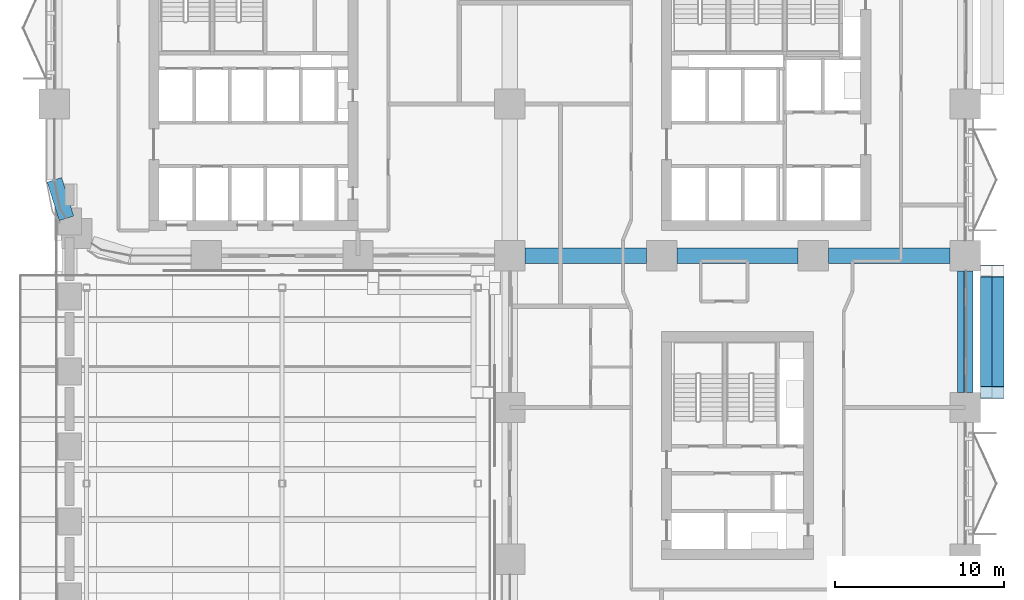
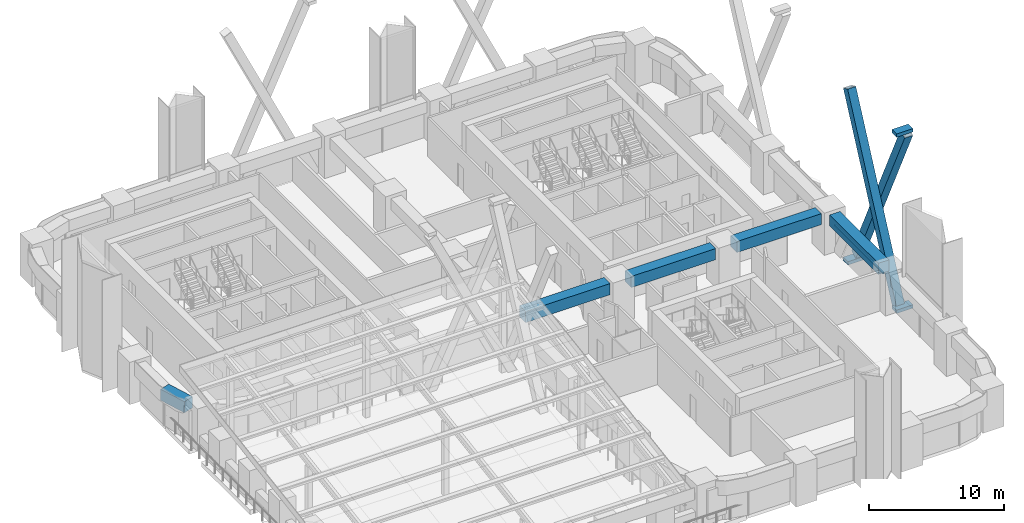
# One storey, part 5 of 22: 6 members, 5 beams, 1 element without a shape of its own.
"""IFC4 building model written with IfcOpenShell, lengths in metres."""

from ifc_helpers import new_model, si_unit, direction, frame, origin, origin_2d, place, context, subcontext, project, spatial, rectangle, hollow_rectangle, extrude, material, layer, layer_set, material_profile, profile_set, type_object, element, aggregate, save


model = new_model("IFC4")

# Units and contexts
model_context = context("Model", 3, precision=1e-05, world=origin(), true_north=direction((0.0, 1.0)))
body_context = subcontext(model_context, "Body", "Model", "MODEL_VIEW")
ifc_project = project(units=[si_unit("LENGTHUNIT", "METRE"), si_unit("AREAUNIT", "SQUARE_METRE"), si_unit("VOLUMEUNIT", "CUBIC_METRE"), si_unit("PLANEANGLEUNIT", "RADIAN"), si_unit("MASSUNIT", "GRAM", prefix="KILO")], contexts=[model_context])

# Site, building, storey
site_placement = place(None, origin())
site = spatial("IfcSite", under=ifc_project, at=site_placement, CompositionType="ELEMENT")
building_placement = place(site_placement, origin())
building = spatial("IfcBuilding", under=site, at=building_placement, Name="Tessera Arch", CompositionType="ELEMENT")
storey_placement = place(building_placement, frame((0.0, 0.0, 77.800048828125)))
storey = spatial("IfcBuildingStorey", under=building, at=storey_placement, Name="L17", CompositionType="ELEMENT", Elevation=77.800048828125)

# Members
ifc_material_1 = material(Name="Steel A572 Gr50", Category="steel")
ifc_material_profile_1 = material_profile(ifc_material_1, hollow_rectangle(XDim=0.699951171875, YDim=0.699951171875, WallThickness=0.050048828125, at=origin_2d()), Name="BOX 700x700x50")
ifc_profile_set_1 = profile_set([ifc_material_profile_1], Name="Steel A572 Gr50")
member_type_1 = type_object("IfcMemberType", Name="Brace BOX 700x700x50 Steel A572 Gr50", PredefinedType="BRACE", material=ifc_profile_set_1)
for number, where, z_axis, x_axis, name in (
    (1, (55.25, 18.89990234375, -0.800048828125), (0.0, 0.428096952335, 0.903732814167), (-1.0, 0.0, 0.0), "Brace E54.0-2 A L17-L20"),
    (2, (55.949951171875, 26.10009765625, -0.800048828125), (0.0, -0.428096952335, 0.903732814167), (1.0, 0.0, 0.0), "Brace E54.0-2 B L17-L20"),
):
    element("IfcMember", number, at=place(storey_placement, frame(where, z_axis=z_axis, x_axis=x_axis)), inside=storey, type_object=member_type_1, Name=name, PredefinedType="BRACE", context=body_context, shape_type="SweptSolid", body=[
        extrude(hollow_rectangle(XDim=0.699951171875, YDim=0.699951171875, WallThickness=0.050048828125, at=origin_2d()), origin(), (0.0, 0.0, 1.0), 16.819091796875),
    ])

# Curtain wall, member
ifc_material_2 = material(Name="CW3 curtain wall")
curtain_wall_type = type_object("IfcCurtainWallType", Name="CW3 curtain wall", PredefinedType="NOTDEFINED", material=ifc_material_2)
curtain_wall_placement = place(storey_placement, origin())
curtain_wall = element("IfcCurtainWall", 3, at=curtain_wall_placement, inside=storey, type_object=curtain_wall_type, Name="CW3 curtain wall E54.0/2 L17", PredefinedType="NOTDEFINED")
ifc_material_3 = material(Name="Anodised aluminium pale metal", Category="aluminium")
ifc_material_profile_2 = material_profile(ifc_material_3, rectangle(XDim=0.139892578125, YDim=0.10009765625, at=origin_2d()), Name="AL 140x100")
ifc_profile_set_2 = profile_set([ifc_material_profile_2], Name="Anodised aluminium pale metal")
member_type_2 = type_object("IfcMemberType", Name="CW3 transom", PredefinedType="USERDEFINED", material=ifc_profile_set_2)
member_placement = place(storey_placement, frame((54.0, 18.89990234375, 2.449951171875), z_axis=(0.0, 1.0, 0.0), x_axis=(-1.0, 0.0, 0.0)))
member = element("IfcMember", 4, at=member_placement, type_object=member_type_2, Name="CW3 transom E54.0/2 1.1", ObjectType="TRANSOM", PredefinedType="USERDEFINED", context=body_context, shape_type="SweptSolid", body=[
    extrude(rectangle(XDim=0.139892578125, YDim=0.10009765625, at=origin_2d()), origin(), (0.0, 0.0, 1.0), 7.2001953125),
])
aggregate(curtain_wall, [member])

# Members
ifc_material_4 = material(Name="Steel A572 Gr50", Category="steel")
ifc_layer = layer(ifc_material_4, 0.050048828125)
ifc_layer_set = layer_set([ifc_layer], Name="Node block Steel A572 Gr50")
member_type_3 = type_object("IfcMemberType", Name="Node block Steel A572 Gr50", PredefinedType="PLATE", material=ifc_layer_set)
for number, where, z_axis, x_axis, name in (
    (5, (55.60009765625, 26.10009765625, -1.2861328125), (0.0, 0.0, 1.0), (0.0, 1.0, 0.0), "Node block seat E54.0-2 1 L17"),
    (6, (55.60009765625, 18.89990234375, -1.2861328125), (0.0, 0.0, 1.0), (0.0, 1.0, 0.0), "Node block seat E54.0-2 2 L17"),
    (7, (55.60009765625, 18.89990234375, 14.5859375), (0.0, 0.0, 1.0), (0.0, 1.0, 0.0), "Node block head E54.0-2 B L17"),
):
    element("IfcMember", number, at=place(storey_placement, frame(where, z_axis=z_axis, x_axis=x_axis)), inside=storey, type_object=member_type_3, Name=name, PredefinedType="PLATE", context=body_context, shape_type="SweptSolid", body=[
        extrude(rectangle(XDim=0.699951171875, YDim=1.39990234375, at=origin_2d()), origin(), (0.0, 0.0, 1.0), 0.300048828125),
    ])

# Beams
ifc_material_5 = material(Name="Concrete C80/95", Category="concrete")
ifc_material_profile_3 = material_profile(ifc_material_5, rectangle(XDim=0.89990234375, YDim=1.0, at=origin_2d()), Name="RC spandrel beam 900 x 1000 Concrete C80/95")
ifc_profile_set_3 = profile_set([ifc_material_profile_3], Name="Concrete C80/95")
beam_type = type_object("IfcBeamType", Name="RC spandrel beam 900 x 1000 Concrete C80/95", PredefinedType="BEAM", material=ifc_profile_set_3)
beam_placement = place(storey_placement, frame((0.0, 31.5, 3.0), z_axis=(0.299675309057, -0.954041251279, 0.0), x_axis=(0.954041251279, 0.299675309057, 0.0)))
element("IfcBeam", 8, at=beam_placement, inside=storey, type_object=beam_type, Name="Spandrel beam L17 W0.27/2.2", PredefinedType="BEAM", context=body_context, shape_type="SweptSolid", body=[
    extrude(rectangle(XDim=0.89990234375, YDim=1.0, at=origin_2d()), origin(), (0.0, 0.0, 1.0), 2.391845703125),
])
for number, where, z_axis, x_axis, name in (
    (9, (54.0, 18.89990234375, 3.0), (0.0, 1.0, 0.0), (-1.0, 0.0, 0.0), "Spandrel beam L17 E54.0/2"),
    (10, (27.89990234375, 27.0, 3.0), (1.0, 0.0, 0.0), (0.0, 1.0, 0.0), "Interface beam L17 I1C4D-C5D"),
    (11, (36.89990234375, 27.0, 3.0), (1.0, 0.0, 0.0), (0.0, 1.0, 0.0), "Interface beam L17 I1C5D-C6D"),
    (12, (45.89990234375, 27.0, 3.0), (1.0, 0.0, 0.0), (0.0, 1.0, 0.0), "Interface beam L17 I1C6D-C7D"),
):
    element("IfcBeam", number, at=place(storey_placement, frame(where, z_axis=z_axis, x_axis=x_axis)), inside=storey, type_object=beam_type, Name=name, PredefinedType="BEAM", context=body_context, shape_type="SweptSolid", body=[
        extrude(rectangle(XDim=0.89990234375, YDim=1.0, at=origin_2d()), origin(), (0.0, 0.0, 1.0), 7.2001953125),
    ])

save(model, "model.ifc")
